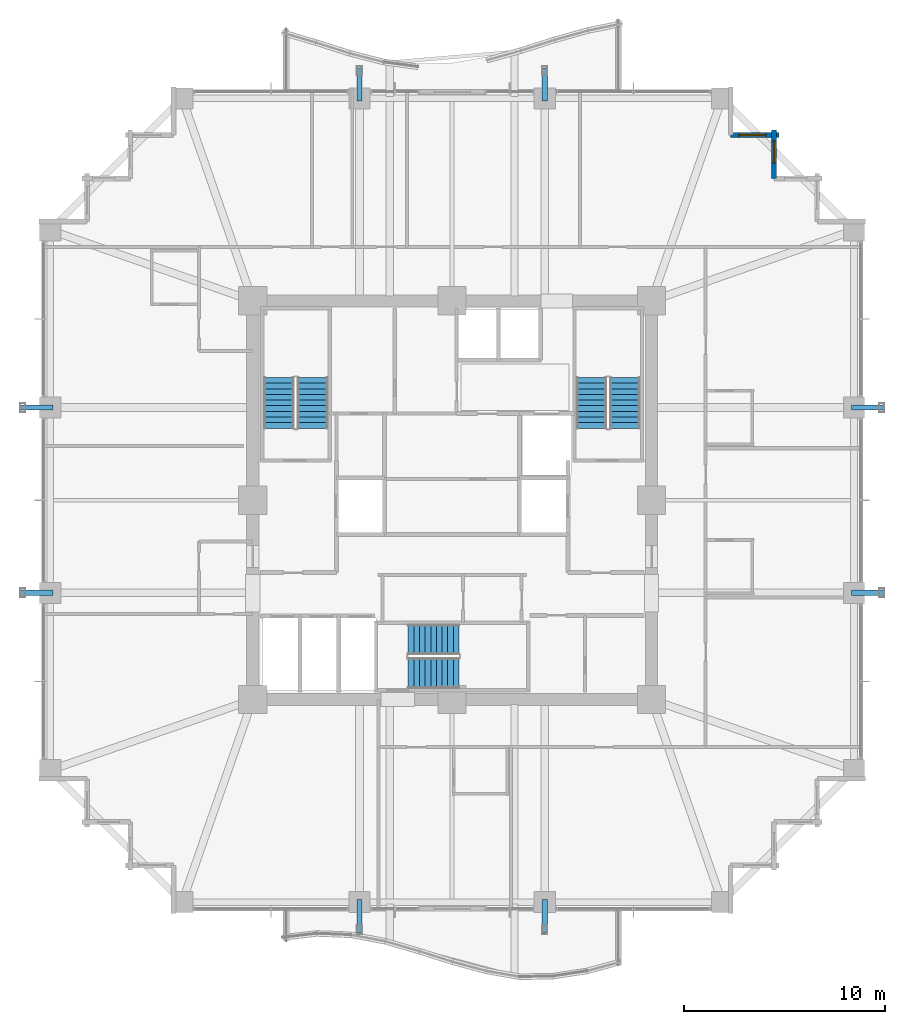
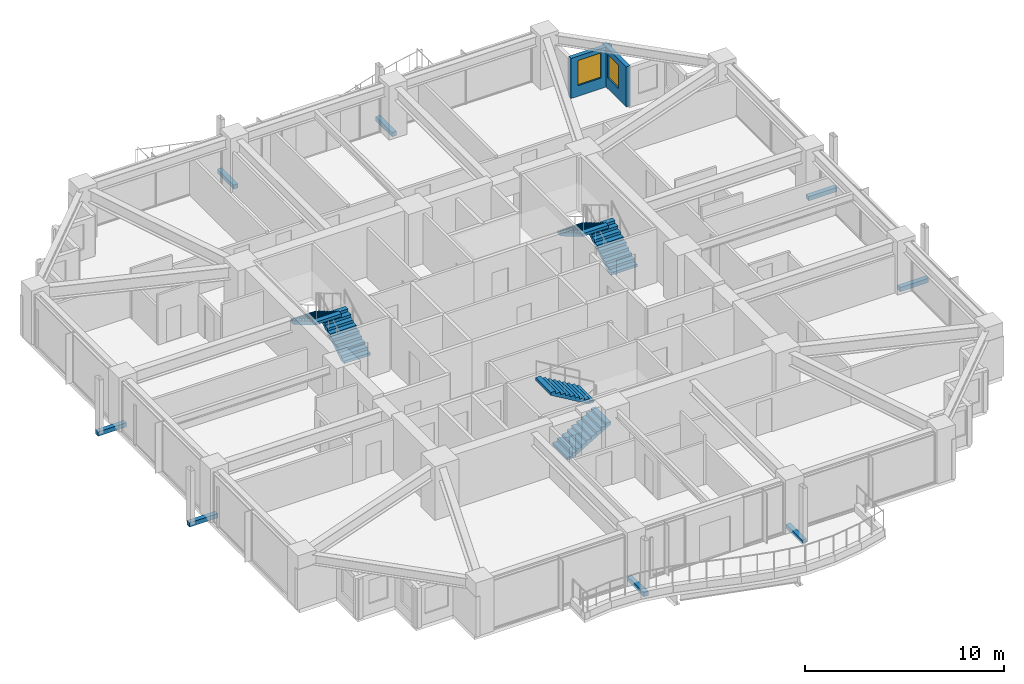
# One storey, part 36 of 38: 8 discrete accessories, 6 stair flights, 2 walls, 2 windows, 2 openings, 3 elements without a shape of their own.
"""IFC4 building model written with IfcOpenShell, lengths in metres."""

from ifc_helpers import new_model, si_unit, direction, frame, frame_2d, origin, origin_2d, place, context, subcontext, project, spatial, polyline, rectangle, outline, extrude, material, layer, layer_set, type_object, element, fill, aggregate, save


model = new_model("IFC4")

# Units and contexts
model_context = context("Model", 3, precision=1e-05, world=origin(), true_north=direction((0.0, 1.0)))
body_context = subcontext(model_context, "Body", "Model", "MODEL_VIEW")
ifc_project = project(units=[si_unit("LENGTHUNIT", "METRE"), si_unit("AREAUNIT", "SQUARE_METRE"), si_unit("VOLUMEUNIT", "CUBIC_METRE"), si_unit("PLANEANGLEUNIT", "RADIAN"), si_unit("MASSUNIT", "GRAM", prefix="KILO")], contexts=[model_context])

# Site, building, storey
site_placement = place(None, origin())
site = spatial("IfcSite", under=ifc_project, at=site_placement, CompositionType="ELEMENT")
building_placement = place(site_placement, origin())
building = spatial("IfcBuilding", under=site, at=building_placement, Name="Kolvaren Belvedere", CompositionType="ELEMENT")
storey_placement = place(building_placement, frame((0.0, 0.0, 78.800048828125)))
storey = spatial("IfcBuildingStorey", under=building, at=storey_placement, Name="L22", CompositionType="ELEMENT", Elevation=78.800048828125)

# Wall, opening, window
ifc_material_1 = material(Name="Insulated pale-metal facade wall assembly", Category="aluminium")
ifc_layer = layer(ifc_material_1, 0.239990234375)
ifc_layer_set = layer_set([ifc_layer], Name="Insulated pale-metal facade wall assembly")
wall_type = type_object("IfcWallType", Name="WL-EXT-240", PredefinedType="STANDARD", material=ifc_layer_set)
wall_1_placement = place(storey_placement, frame((15.97998046875, 18.3701171875, 0.0), z_axis=(0.0, 0.0, 1.0), x_axis=(0.0, -1.0, 0.0)))
wall_1 = element("IfcWall", 1, at=wall_1_placement, inside=storey, type_object=wall_type, Name="L22 Serrated Corner Facade Wall 12", PredefinedType="STANDARD", context=body_context, shape_type="SweptSolid", body=[
    extrude(rectangle(XDim=2.39013671875, YDim=0.239990234375, at=frame_2d((1.195068359375, 0.0))), origin(), (0.0, 0.0, 1.0), 2.458984375),
])
opening_1_placement = place(wall_1_placement, frame((0.52490234375, 0.0, 0.64990234375)))
opening_1 = element("IfcOpeningElement", 2, at=opening_1_placement, cuts=wall_1, Name="Opening W-1100", PredefinedType="OPENING", context=body_context, shape_type="SweptSolid", body=[
    extrude(rectangle(XDim=1.10009765625, YDim=1.449951171875, at=frame_2d((0.550048828125, 0.72509765625))), frame((0.0, 0.1298828125, 0.0), z_axis=(0.0, -1.0, 0.0), x_axis=(1.0, 0.0, 0.0)), (0.0, 0.0, 1.0), 0.260009765625),
])
ifc_material_2 = material(Name="Low-iron triple insulated glass", Category="glass")
window_type_1 = type_object("IfcWindowType", Name="WN-CORN-1100", PartitioningType="SINGLE_PANEL", PredefinedType="WINDOW", material=ifc_material_2)
window_1_placement = place(opening_1_placement, origin())
window_1 = element("IfcWindow", 3, at=window_1_placement, inside=storey, type_object=window_type_1, Name="L22 Serrated Corner Vision Window 12", OverallHeight=1.449951171875, OverallWidth=1.10009765625, PartitioningType="SINGLE_PANEL", PredefinedType="WINDOW", context=body_context, shape_type="SweptSolid", body=[
    extrude(rectangle(XDim=1.10009765625, YDim=1.449951171875, at=frame_2d((0.550048828125, 0.72509765625))), frame((0.0, 0.030029296875, 0.0), z_axis=(0.0, -1.0, 0.0), x_axis=(1.0, 0.0, 0.0)), (0.0, 0.0, 1.0), 0.06005859375),
])
fill(opening_1, window_1)

wall_2_placement = place(storey_placement, frame((13.830078125, 18.1298828125, 0.0), z_axis=(0.0, 0.0, 1.0), x_axis=(1.0, 0.0, 0.0)))
wall_2 = element("IfcWall", 4, at=wall_2_placement, inside=storey, type_object=wall_type, Name="L22 Serrated Corner Facade Wall 13", PredefinedType="STANDARD", context=body_context, shape_type="SweptSolid", body=[
    extrude(rectangle(XDim=2.389892578125, YDim=0.239990234375, at=frame_2d((1.19482421875, 0.0))), origin(), (0.0, 0.0, 1.0), 2.458984375),
])
opening_2_placement = place(wall_2_placement, frame((0.39990234375, 0.0, 0.64990234375)))
opening_2 = element("IfcOpeningElement", 5, at=opening_2_placement, cuts=wall_2, Name="Opening W-1350", PredefinedType="OPENING", context=body_context, shape_type="SweptSolid", body=[
    extrude(rectangle(XDim=1.35009765625, YDim=1.550048828125, at=frame_2d((0.675048828125, 0.77490234375))), frame((0.0, 0.1298828125, 0.0), z_axis=(0.0, -1.0, 0.0), x_axis=(1.0, 0.0, 0.0)), (0.0, 0.0, 1.0), 0.260009765625),
])
ifc_material_3 = material(Name="Low-iron triple insulated glass", Category="glass")
window_type_2 = type_object("IfcWindowType", Name="WN-CORN-1350", PartitioningType="SINGLE_PANEL", PredefinedType="WINDOW", material=ifc_material_3)
window_2_placement = place(opening_2_placement, origin())
window_2 = element("IfcWindow", 6, at=window_2_placement, inside=storey, type_object=window_type_2, Name="L22 Serrated Corner Vision Window 13", OverallHeight=1.550048828125, OverallWidth=1.35009765625, PartitioningType="SINGLE_PANEL", PredefinedType="WINDOW", context=body_context, shape_type="SweptSolid", body=[
    extrude(rectangle(XDim=1.35009765625, YDim=1.550048828125, at=frame_2d((0.675048828125, 0.77490234375))), frame((0.0, 0.030029296875, 0.0), z_axis=(0.0, -1.0, 0.0), x_axis=(1.0, 0.0, 0.0)), (0.0, 0.0, 1.0), 0.06005859375),
])
fill(opening_2, window_2)

# Stair, stair flights
ifc_material_4 = material(Name="Concrete C50/60", Category="concrete")
stair_type = type_object("IfcStairType", Name="ST-CORE-1520", PredefinedType="HALF_TURN_STAIR", material=ifc_material_4)
stair_1_placement = place(storey_placement, origin())
stair_1 = element("IfcStair", 7, at=stair_1_placement, inside=storey, type_object=stair_type, Name="L22 Protected Exit Stair ST-1", PredefinedType="HALF_TURN_STAIR")
ifc_material_5 = material(Name="Concrete C50/60", Category="concrete")
stair_flight_type = type_object("IfcStairFlightType", Name="SF-STR-1520", PredefinedType="STRAIGHT", material=ifc_material_5)
stair_flight_1_placement = place(storey_placement, frame((-6.919921875, 3.570068359375, 0.0), z_axis=(0.0, 0.0, 1.0), x_axis=(0.0, 1.0, 0.0)))
stair_flight_1 = element("IfcStairFlight", 8, at=stair_flight_1_placement, type_object=stair_flight_type, Name="ST-1 flight 1", NumberOfRisers=10, NumberOfTreads=9, PredefinedType="STRAIGHT", RiserHeight=0.165, TreadLength=0.28, context=body_context, shape_type="SweptSolid", body=[
    extrude(outline(polyline([(0.0, 0.0), (0.0, 0.1650390625), (0.280029296875, 0.1650390625), (0.280029296875, 0.330078125), (0.56005859375, 0.330078125), (0.56005859375, 0.4951171875), (0.840087890625, 0.4951171875), (0.840087890625, 0.659912109375), (1.1201171875, 0.659912109375), (1.1201171875, 0.824951171875), (1.39990234375, 0.824951171875), (1.39990234375, 0.989990234375), (1.679931640625, 0.989990234375), (1.679931640625, 1.155029296875), (1.9599609375, 1.155029296875), (1.9599609375, 1.320068359375), (2.239990234375, 1.320068359375), (2.239990234375, 1.485107421875), (2.52001953125, 1.485107421875), (2.52001953125, 1.64990234375), (2.52001953125, 1.31103515625), (0.295166015625, 0.0), (0.0, 0.0)])), frame((0.0, 0.760009765625, 0.0), z_axis=(0.0, -1.0, 0.0), x_axis=(1.0, 0.0, 0.0)), (0.0, 0.0, 1.0), 1.52001953125),
])
stair_flight_2_placement = place(storey_placement, frame((-8.590087890625, 6.090087890625, 1.64990234375), z_axis=(0.0, 0.0, 1.0), x_axis=(0.0, -1.0, 0.0)))
stair_flight_2 = element("IfcStairFlight", 9, at=stair_flight_2_placement, type_object=stair_flight_type, Name="ST-1 flight 2", NumberOfRisers=10, NumberOfTreads=9, PredefinedType="STRAIGHT", RiserHeight=0.165, TreadLength=0.28, context=body_context, shape_type="SweptSolid", body=[
    extrude(outline(polyline([(0.0, 0.0), (0.0, 0.1650390625), (0.280029296875, 0.1650390625), (0.280029296875, 0.330078125), (0.56005859375, 0.330078125), (0.56005859375, 0.4951171875), (0.840087890625, 0.4951171875), (0.840087890625, 0.659912109375), (1.1201171875, 0.659912109375), (1.1201171875, 0.824951171875), (1.39990234375, 0.824951171875), (1.39990234375, 0.989990234375), (1.679931640625, 0.989990234375), (1.679931640625, 1.155029296875), (1.9599609375, 1.155029296875), (1.9599609375, 1.320068359375), (2.239990234375, 1.320068359375), (2.239990234375, 1.485107421875), (2.52001953125, 1.485107421875), (2.52001953125, 1.64990234375), (2.52001953125, 1.31103515625), (0.295166015625, 0.0), (0.0, 0.0)])), frame((0.0, 0.760009765625, 0.0), z_axis=(0.0, -1.0, 0.0), x_axis=(1.0, 0.0, 0.0)), (0.0, 0.0, 1.0), 1.52001953125),
])
aggregate(stair_1, [stair_flight_1, stair_flight_2])

stair_2_placement = place(storey_placement, origin())
stair_2 = element("IfcStair", 10, at=stair_2_placement, inside=storey, type_object=stair_type, Name="L22 Protected Exit Stair ST-2", PredefinedType="HALF_TURN_STAIR")
stair_flight_3_placement = place(storey_placement, frame((8.590087890625, 3.570068359375, 0.0), z_axis=(0.0, 0.0, 1.0), x_axis=(0.0, 1.0, 0.0)))
stair_flight_3 = element("IfcStairFlight", 11, at=stair_flight_3_placement, type_object=stair_flight_type, Name="ST-2 flight 1", NumberOfRisers=10, NumberOfTreads=9, PredefinedType="STRAIGHT", RiserHeight=0.165, TreadLength=0.28, context=body_context, shape_type="SweptSolid", body=[
    extrude(outline(polyline([(0.0, 0.0), (0.0, 0.1650390625), (0.280029296875, 0.1650390625), (0.280029296875, 0.330078125), (0.56005859375, 0.330078125), (0.56005859375, 0.4951171875), (0.840087890625, 0.4951171875), (0.840087890625, 0.659912109375), (1.1201171875, 0.659912109375), (1.1201171875, 0.824951171875), (1.39990234375, 0.824951171875), (1.39990234375, 0.989990234375), (1.679931640625, 0.989990234375), (1.679931640625, 1.155029296875), (1.9599609375, 1.155029296875), (1.9599609375, 1.320068359375), (2.239990234375, 1.320068359375), (2.239990234375, 1.485107421875), (2.52001953125, 1.485107421875), (2.52001953125, 1.64990234375), (2.52001953125, 1.31103515625), (0.295166015625, 0.0), (0.0, 0.0)])), frame((0.0, 0.760009765625, 0.0), z_axis=(0.0, -1.0, 0.0), x_axis=(1.0, 0.0, 0.0)), (0.0, 0.0, 1.0), 1.52001953125),
])
stair_flight_4_placement = place(storey_placement, frame((6.919921875, 6.090087890625, 1.64990234375), z_axis=(0.0, 0.0, 1.0), x_axis=(0.0, -1.0, 0.0)))
stair_flight_4 = element("IfcStairFlight", 12, at=stair_flight_4_placement, type_object=stair_flight_type, Name="ST-2 flight 2", NumberOfRisers=10, NumberOfTreads=9, PredefinedType="STRAIGHT", RiserHeight=0.165, TreadLength=0.28, context=body_context, shape_type="SweptSolid", body=[
    extrude(outline(polyline([(0.0, 0.0), (0.0, 0.1650390625), (0.280029296875, 0.1650390625), (0.280029296875, 0.330078125), (0.56005859375, 0.330078125), (0.56005859375, 0.4951171875), (0.840087890625, 0.4951171875), (0.840087890625, 0.659912109375), (1.1201171875, 0.659912109375), (1.1201171875, 0.824951171875), (1.39990234375, 0.824951171875), (1.39990234375, 0.989990234375), (1.679931640625, 0.989990234375), (1.679931640625, 1.155029296875), (1.9599609375, 1.155029296875), (1.9599609375, 1.320068359375), (2.239990234375, 1.320068359375), (2.239990234375, 1.485107421875), (2.52001953125, 1.485107421875), (2.52001953125, 1.64990234375), (2.52001953125, 1.31103515625), (0.295166015625, 0.0), (0.0, 0.0)])), frame((0.0, 0.760009765625, 0.0), z_axis=(0.0, -1.0, 0.0), x_axis=(1.0, 0.0, 0.0)), (0.0, 0.0, 1.0), 1.52001953125),
])
aggregate(stair_2, [stair_flight_3, stair_flight_4])

stair_3_placement = place(storey_placement, origin())
stair_3 = element("IfcStair", 13, at=stair_3_placement, inside=storey, type_object=stair_type, Name="L22 Protected Exit Stair ST-3", PredefinedType="HALF_TURN_STAIR")
stair_flight_5_placement = place(storey_placement, frame((-2.179931640625, -8.590087890625, 0.0), z_axis=(0.0, 0.0, 1.0), x_axis=(1.0, 0.0, 0.0)))
stair_flight_5 = element("IfcStairFlight", 14, at=stair_flight_5_placement, type_object=stair_flight_type, Name="ST-3 flight 1", NumberOfRisers=10, NumberOfTreads=9, PredefinedType="STRAIGHT", RiserHeight=0.165, TreadLength=0.28, context=body_context, shape_type="SweptSolid", body=[
    extrude(outline(polyline([(0.0, 0.0), (0.0, 0.1650390625), (0.280029296875, 0.1650390625), (0.280029296875, 0.330078125), (0.56005859375, 0.330078125), (0.56005859375, 0.4951171875), (0.840087890625, 0.4951171875), (0.840087890625, 0.659912109375), (1.1201171875, 0.659912109375), (1.1201171875, 0.824951171875), (1.39990234375, 0.824951171875), (1.39990234375, 0.989990234375), (1.679931640625, 0.989990234375), (1.679931640625, 1.155029296875), (1.9599609375, 1.155029296875), (1.9599609375, 1.320068359375), (2.239990234375, 1.320068359375), (2.239990234375, 1.485107421875), (2.52001953125, 1.485107421875), (2.52001953125, 1.64990234375), (2.52001953125, 1.31103515625), (0.295166015625, 0.0), (0.0, 0.0)])), frame((0.0, 0.760009765625, 0.0), z_axis=(0.0, -1.0, 0.0), x_axis=(1.0, 0.0, 0.0)), (0.0, 0.0, 1.0), 1.52001953125),
])
stair_flight_6_placement = place(storey_placement, frame((0.340087890625, -6.919921875, 1.64990234375), z_axis=(0.0, 0.0, 1.0), x_axis=(-1.0, 0.0, 0.0)))
stair_flight_6 = element("IfcStairFlight", 15, at=stair_flight_6_placement, type_object=stair_flight_type, Name="ST-3 flight 2", NumberOfRisers=10, NumberOfTreads=9, PredefinedType="STRAIGHT", RiserHeight=0.165, TreadLength=0.28, context=body_context, shape_type="SweptSolid", body=[
    extrude(outline(polyline([(0.0, 0.0), (0.0, 0.1650390625), (0.280029296875, 0.1650390625), (0.280029296875, 0.330078125), (0.56005859375, 0.330078125), (0.56005859375, 0.4951171875), (0.840087890625, 0.4951171875), (0.840087890625, 0.659912109375), (1.1201171875, 0.659912109375), (1.1201171875, 0.824951171875), (1.39990234375, 0.824951171875), (1.39990234375, 0.989990234375), (1.679931640625, 0.989990234375), (1.679931640625, 1.155029296875), (1.9599609375, 1.155029296875), (1.9599609375, 1.320068359375), (2.239990234375, 1.320068359375), (2.239990234375, 1.485107421875), (2.52001953125, 1.485107421875), (2.52001953125, 1.64990234375), (2.52001953125, 1.31103515625), (0.295166015625, 0.0), (0.0, 0.0)])), frame((0.0, 0.760009765625, 0.0), z_axis=(0.0, -1.0, 0.0), x_axis=(1.0, 0.0, 0.0)), (0.0, 0.0, 1.0), 1.52001953125),
])
aggregate(stair_3, [stair_flight_5, stair_flight_6])

# Discrete accessories
ifc_material_6 = material(Name="Structural steel ASTM A572 Grade 50", Category="steel")
discrete_accessory_type = type_object("IfcDiscreteAccessoryType", Name="BRK-1 Steel Facade Support Bracket", PredefinedType="BRACKET", material=ifc_material_6)
for number, where, z_axis, x_axis, name in (
    (16, (-4.60009765625, 20.635009765625, -0.169921875), (0.0, 0.0, 1.0), (0.0, 1.0, 0.0), "L22 Picture-Frame Outrigger Cleat Bracket N1"),
    (17, (4.60009765625, 20.635009765625, -0.169921875), (0.0, 0.0, 1.0), (0.0, 1.0, 0.0), "L22 Picture-Frame Outrigger Cleat Bracket N2"),
    (18, (4.60009765625, -20.635009765625, -0.169921875), (0.0, 0.0, 1.0), (0.0, 1.0, 0.0), "L22 Picture-Frame Outrigger Cleat Bracket S1"),
    (19, (-4.60009765625, -20.635009765625, -0.169921875), (0.0, 0.0, 1.0), (0.0, 1.0, 0.0), "L22 Picture-Frame Outrigger Cleat Bracket S2"),
    (20, (20.635009765625, 4.60009765625, -0.169921875), (0.0, 0.0, 1.0), (1.0, 0.0, 0.0), "L22 Picture-Frame Outrigger Cleat Bracket E1"),
    (21, (20.635009765625, -4.60009765625, -0.169921875), (0.0, 0.0, 1.0), (1.0, 0.0, 0.0), "L22 Picture-Frame Outrigger Cleat Bracket E2"),
    (22, (-20.635009765625, -4.60009765625, -0.169921875), (0.0, 0.0, 1.0), (1.0, 0.0, 0.0), "L22 Picture-Frame Outrigger Cleat Bracket W1"),
    (23, (-20.635009765625, 4.60009765625, -0.169921875), (0.0, 0.0, 1.0), (1.0, 0.0, 0.0), "L22 Picture-Frame Outrigger Cleat Bracket W2"),
):
    element("IfcDiscreteAccessory", number, at=place(storey_placement, frame(where, z_axis=z_axis, x_axis=x_axis)), inside=storey, type_object=discrete_accessory_type, Name=name, PredefinedType="BRACKET", context=body_context, shape_type="SweptSolid", body=[
        extrude(rectangle(XDim=1.639892578125, YDim=0.260009765625, at=origin_2d()), origin(), (0.0, 0.0, 1.0), 0.260009765625),
    ])

save(model, "model.ifc")
